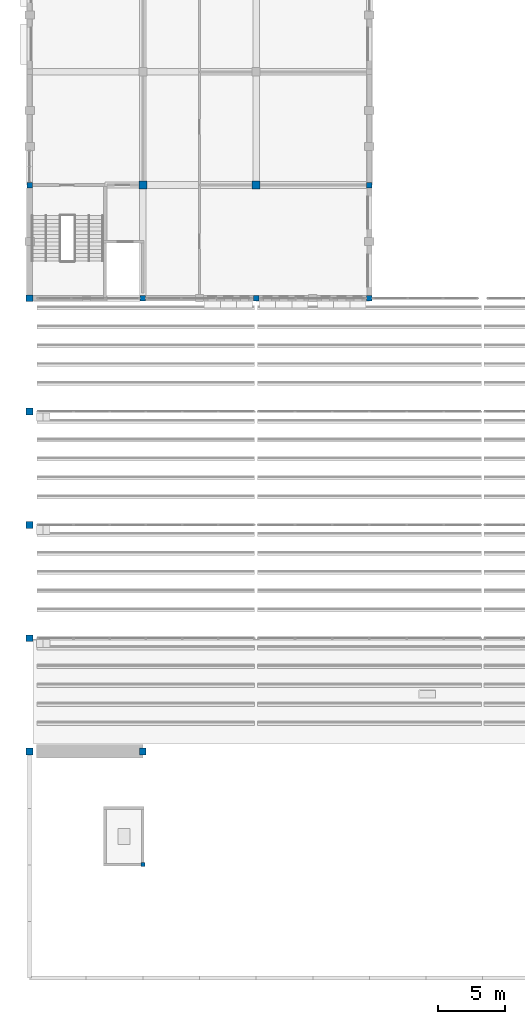
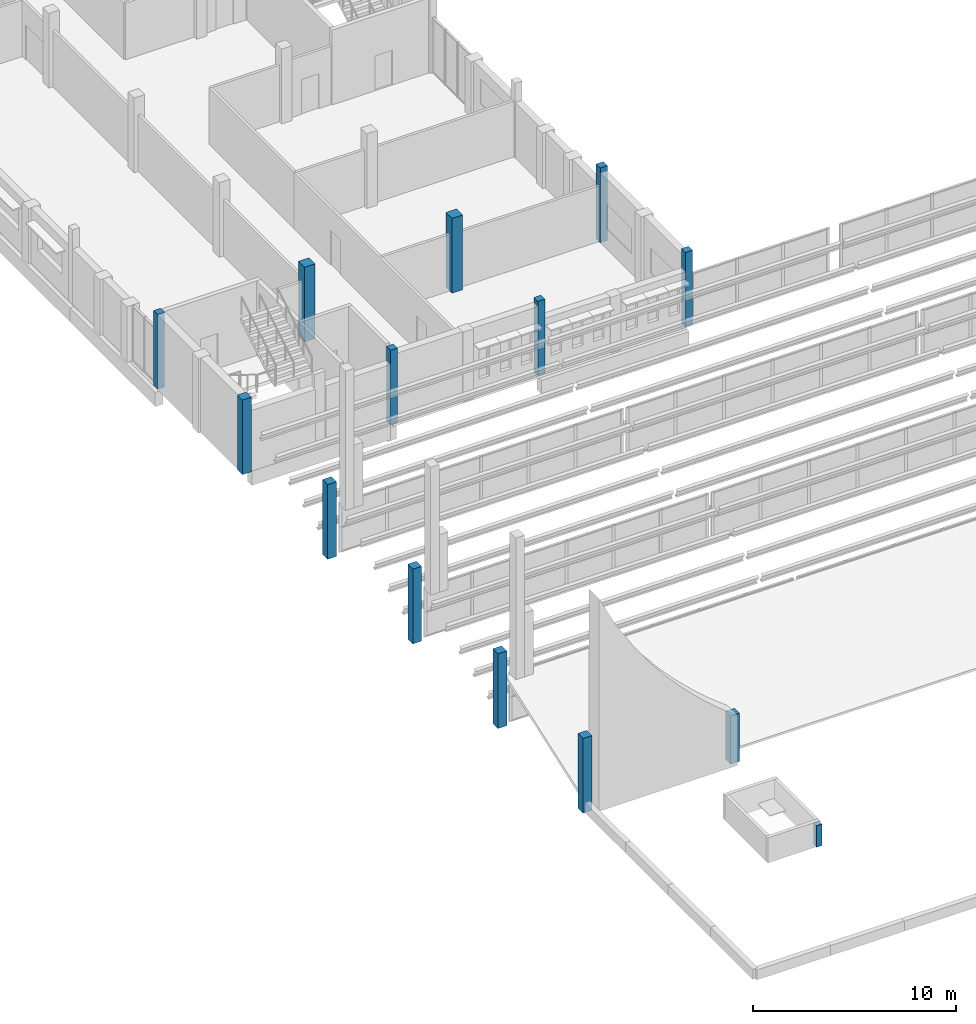
# One storey, part 1 of 116: 14 columns.
"""IFC4 building model written with IfcOpenShell, lengths in metres."""

from ifc_helpers import new_model, si_unit, direction, frame, origin, origin_2d, place, context, subcontext, project, spatial, rectangle, extrude, material, material_profile, profile_set, type_object, element, save


model = new_model("IFC4")

# Units and contexts
model_context = context("Model", 3, precision=1e-05, world=origin(), true_north=direction((0.0, 1.0)))
body_context = subcontext(model_context, "Body", "Model", "MODEL_VIEW")
ifc_project = project(units=[si_unit("LENGTHUNIT", "METRE"), si_unit("AREAUNIT", "SQUARE_METRE"), si_unit("VOLUMEUNIT", "CUBIC_METRE"), si_unit("PLANEANGLEUNIT", "RADIAN"), si_unit("MASSUNIT", "GRAM", prefix="KILO")], contexts=[model_context])

# Site, building, storey
site_placement = place(None, origin())
site = spatial("IfcSite", under=ifc_project, at=site_placement, CompositionType="ELEMENT")
building_placement = place(site_placement, origin())
building = spatial("IfcBuilding", under=site, at=building_placement, Name="Fescue Hill Polytechnic", CompositionType="ELEMENT")
storey_placement = place(building_placement, frame((0.0, 0.0, 13.5)))
storey = spatial("IfcBuildingStorey", under=building, at=storey_placement, Name="L03", CompositionType="ELEMENT", Elevation=13.5)

# Columns
ifc_material = material(Name="Concrete 40 MPa", Category="concrete")
ifc_material_profile_1 = material_profile(ifc_material, rectangle(XDim=0.300048828125, YDim=0.300048828125, at=origin_2d()), Name="RC 300x300")
ifc_profile_set_1 = profile_set([ifc_material_profile_1], Name="Concrete 40 MPa")
column_type_1 = type_object("IfcColumnType", Name="Column RC 300x300", PredefinedType="COLUMN", material=ifc_profile_set_1)
column_1_placement = place(storey_placement, frame((8.39990234375, 8.39990234375, 0.0), z_axis=(0.0, 0.0, 1.0), x_axis=(1.0, 0.0, 0.0)))
element("IfcColumn", 1, at=column_1_placement, inside=storey, type_object=column_type_1, Name="COL-L03-V1-011", PredefinedType="COLUMN", context=body_context, shape_type="SweptSolid", body=[
    extrude(rectangle(XDim=0.300048828125, YDim=0.300048828125, at=origin_2d()), origin(), (0.0, 0.0, 1.0), 1.300048828125),
])
ifc_material_profile_2 = material_profile(ifc_material, rectangle(XDim=0.39990234375, YDim=0.39990234375, at=origin_2d()), Name="RC 400x400")
ifc_profile_set_2 = profile_set([ifc_material_profile_2], Name="Concrete 40 MPa")
column_type_2 = type_object("IfcColumnType", Name="Column RC 400x400", PredefinedType="COLUMN", material=ifc_profile_set_2)
for number, where, z_axis, x_axis, name in (
    (2, (0.0, 58.800048828125, 0.0), (0.0, 0.0, 1.0), (1.0, 0.0, 0.0), "COL-L03-V4-001"),
    (3, (8.39990234375, 50.39990234375, 0.0), (0.0, 0.0, 1.0), (1.0, 0.0, 0.0), "COL-L03-V4-008"),
    (4, (16.800048828125, 50.39990234375, 0.0), (0.0, 0.0, 1.0), (1.0, 0.0, 0.0), "COL-L03-V4-016"),
    (5, (25.199951171875, 50.39990234375, 0.0), (0.0, 0.0, 1.0), (1.0, 0.0, 0.0), "COL-L03-V4-024"),
    (6, (25.199951171875, 58.800048828125, 0.0), (0.0, 0.0, 1.0), (1.0, 0.0, 0.0), "COL-L03-V4-025"),
):
    element("IfcColumn", number, at=place(storey_placement, frame(where, z_axis=z_axis, x_axis=x_axis)), inside=storey, type_object=column_type_2, Name=name, PredefinedType="COLUMN", context=body_context, shape_type="SweptSolid", body=[
        extrude(rectangle(XDim=0.39990234375, YDim=0.39990234375, at=origin_2d()), origin(), (0.0, 0.0, 1.0), 4.5),
    ])
ifc_material_profile_3 = material_profile(ifc_material, rectangle(XDim=0.5, YDim=0.5, at=origin_2d()), Name="RC 500x500")
ifc_profile_set_3 = profile_set([ifc_material_profile_3], Name="Concrete 40 MPa")
column_type_3 = type_object("IfcColumnType", Name="Column RC 500x500", PredefinedType="COLUMN", material=ifc_profile_set_3)
for number, where, z_axis, x_axis, name in (
    (7, (0.0, 16.800048828125, 0.0), (0.0, 0.0, 1.0), (1.0, 0.0, 0.0), "COL-L03-V1-001"),
    (8, (0.0, 25.199951171875, 0.0), (0.0, 0.0, 1.0), (1.0, 0.0, 0.0), "COL-L03-V1-002"),
    (9, (0.0, 33.60009765625, 0.0), (0.0, 0.0, 1.0), (1.0, 0.0, 0.0), "COL-L03-V1-003"),
    (10, (0.0, 42.0, 0.0), (0.0, 0.0, 1.0), (1.0, 0.0, 0.0), "COL-L03-V1-004"),
    (11, (0.0, 50.39990234375, 0.0), (0.0, 0.0, 1.0), (1.0, 0.0, 0.0), "COL-L03-V1-005"),
):
    element("IfcColumn", number, at=place(storey_placement, frame(where, z_axis=z_axis, x_axis=x_axis)), inside=storey, type_object=column_type_3, Name=name, PredefinedType="COLUMN", context=body_context, shape_type="SweptSolid", body=[
        extrude(rectangle(XDim=0.5, YDim=0.5, at=origin_2d()), origin(), (0.0, 0.0, 1.0), 4.5),
    ])
column_2_placement = place(storey_placement, frame((8.39990234375, 16.800048828125, 0.0), z_axis=(0.0, 0.0, 1.0), x_axis=(1.0, 0.0, 0.0)))
element("IfcColumn", 12, at=column_2_placement, inside=storey, type_object=column_type_3, Name="CP-CR6-L03-0084", PredefinedType="COLUMN", context=body_context, shape_type="SweptSolid", body=[
    extrude(rectangle(XDim=0.5, YDim=0.5, at=origin_2d()), origin(), (0.0, 0.0, 1.0), 2.89990234375),
])
ifc_material_profile_4 = material_profile(ifc_material, rectangle(XDim=0.60009765625, YDim=0.60009765625, at=origin_2d()), Name="RC 600x600")
ifc_profile_set_4 = profile_set([ifc_material_profile_4], Name="Concrete 40 MPa")
column_type_4 = type_object("IfcColumnType", Name="Column RC 600x600", PredefinedType="COLUMN", material=ifc_profile_set_4)
for number, where, z_axis, x_axis, name in (
    (13, (8.39990234375, 58.800048828125, 0.0), (0.0, 0.0, 1.0), (1.0, 0.0, 0.0), "COL-L03-V4-009"),
    (14, (16.800048828125, 58.800048828125, 0.0), (0.0, 0.0, 1.0), (1.0, 0.0, 0.0), "COL-L03-V4-017"),
):
    element("IfcColumn", number, at=place(storey_placement, frame(where, z_axis=z_axis, x_axis=x_axis)), inside=storey, type_object=column_type_4, Name=name, PredefinedType="COLUMN", context=body_context, shape_type="SweptSolid", body=[
        extrude(rectangle(XDim=0.60009765625, YDim=0.60009765625, at=origin_2d()), origin(), (0.0, 0.0, 1.0), 4.5),
    ])

save(model, "model.ifc")
